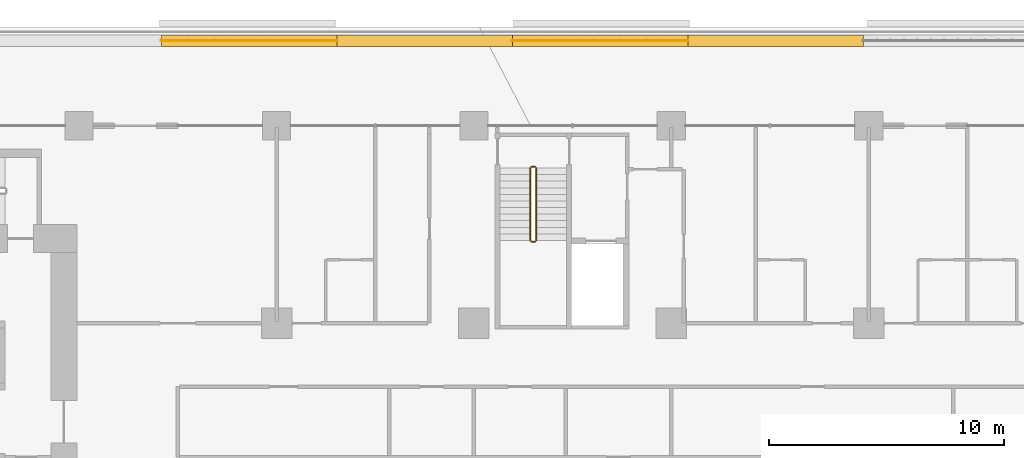
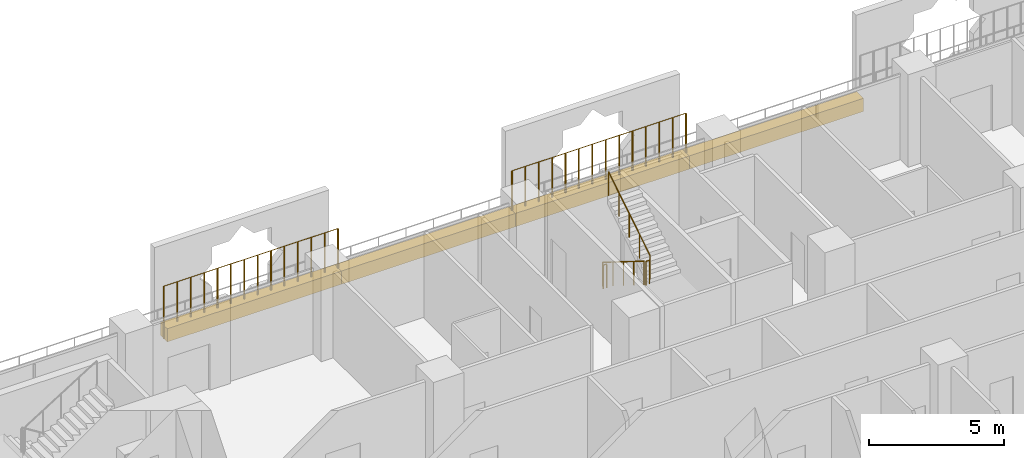
# One storey, part 27 of 28: 6 railings, 4 coverings.
"""IFC4 building model written with IfcOpenShell, lengths in metres."""

from ifc_helpers import new_model, si_unit, direction, frame, origin, origin_2d, place, context, subcontext, project, spatial, rectangle, circle, extrude, material, material_profile, profile_set, type_object, element, save


model = new_model("IFC4")

# Units and contexts
model_context = context("Model", 3, precision=1e-05, world=origin(), true_north=direction((0.0, 1.0)))
body_context = subcontext(model_context, "Body", "Model", "MODEL_VIEW")
ifc_project = project(units=[si_unit("LENGTHUNIT", "METRE"), si_unit("AREAUNIT", "SQUARE_METRE"), si_unit("VOLUMEUNIT", "CUBIC_METRE"), si_unit("PLANEANGLEUNIT", "RADIAN"), si_unit("MASSUNIT", "GRAM", prefix="KILO")], contexts=[model_context])

# Site, building, storey
site_placement = place(None, origin())
site = spatial("IfcSite", under=ifc_project, at=site_placement, CompositionType="ELEMENT")
building_placement = place(site_placement, origin())
building = spatial("IfcBuilding", under=site, at=building_placement, Name="Kawkab Arch Medical Tower", CompositionType="ELEMENT")
storey_placement = place(building_placement, frame((0.0, 0.0, 68.60009765625)))
storey = spatial("IfcBuildingStorey", under=building, at=storey_placement, Name="L15", CompositionType="ELEMENT", Elevation=68.60009765625)

# Coverings
ifc_material_1 = material(Name="Planting soil in a precast trough", Category="concrete")
ifc_material_profile = material_profile(ifc_material_1, rectangle(XDim=0.5, YDim=0.60009765625, at=origin_2d()), Name="Trough 500x600")
ifc_profile_set = profile_set([ifc_material_profile], Name="Planting soil in a precast trough")
covering_type = type_object("IfcCoveringType", Name="Planter trough 500 x 600", PredefinedType="USERDEFINED", material=ifc_profile_set)
for number, where, z_axis, x_axis, name in (
    (1, (28.695068359375, 3.6201171875, 0.2998046875), (1.0, 0.0, 0.0), (0.0, 1.0, 0.0), "Planter L15.LOG-01-01.23"),
    (2, (36.1650390625, 3.6201171875, 0.2998046875), (1.0, 0.0, 0.0), (0.0, 1.0, 0.0), "Planter L15.LOG-01-01.24"),
    (3, (43.635009765625, 3.6201171875, 0.2998046875), (1.0, 0.0, 0.0), (0.0, 1.0, 0.0), "Planter L15.LOG-01-01.25"),
):
    element("IfcCovering", number, at=place(storey_placement, frame(where, z_axis=z_axis, x_axis=x_axis)), inside=storey, type_object=covering_type, Name=name, ObjectType="PLANTER", PredefinedType="USERDEFINED", context=body_context, shape_type="SweptSolid", body=[
        extrude(rectangle(XDim=0.5, YDim=0.60009765625, at=origin_2d()), origin(), (0.0, 0.0, 1.0), 7.469970703125),
    ])
covering_placement = place(storey_placement, frame((51.10498046875, 3.6201171875, 0.2998046875), z_axis=(1.0, 0.0, 0.0), x_axis=(0.0, 1.0, 0.0)))
element("IfcCovering", 4, at=covering_placement, inside=storey, type_object=covering_type, Name="Planter L15.LOG-01-01.26", ObjectType="PLANTER", PredefinedType="USERDEFINED", context=body_context, shape_type="SweptSolid", body=[
    extrude(rectangle(XDim=0.5, YDim=0.60009765625, at=origin_2d()), origin(), (0.0, 0.0, 1.0), 7.470947265625),
])

# Railings
ifc_material_2 = material(Name="Bronze anodised aluminium trellis for climbing plants", Category="aluminium")
railing_type_1 = type_object("IfcRailingType", Name="Planting trellis 2400", PredefinedType="USERDEFINED", material=ifc_material_2)
railing_1_placement = place(storey_placement, frame((28.695068359375, 3.6201171875, 0.0)))
element("IfcRailing", 5, at=railing_1_placement, inside=storey, type_object=railing_type_1, Name="Planting trellis L15.LOG-01-01.23", ObjectType="TRELLIS", PredefinedType="USERDEFINED", context=body_context, shape_type="SweptSolid", body=[
    extrude(circle(Radius=0.01513671875, at=origin_2d()), frame((0.0, 0.0, 2.384765625), z_axis=(1.0, 0.0, 0.0), x_axis=(0.0, 1.0, 0.0)), (0.0, 0.0, 1.0), 7.469970703125),
    extrude(circle(Radius=0.030029296875, at=origin_2d()), origin(), (0.0, 0.0, 1.0), 2.369873046875),
    extrude(circle(Radius=0.030029296875, at=origin_2d()), frame((0.57470703125, 0.0, 0.0)), (0.0, 0.0, 1.0), 2.369873046875),
    extrude(circle(Radius=0.030029296875, at=origin_2d()), frame((1.149169921875, 0.0, 0.0)), (0.0, 0.0, 1.0), 2.369873046875),
    extrude(circle(Radius=0.030029296875, at=origin_2d()), frame((1.723876953125, 0.0, 0.0)), (0.0, 0.0, 1.0), 2.369873046875),
    extrude(circle(Radius=0.030029296875, at=origin_2d()), frame((2.29833984375, 0.0, 0.0)), (0.0, 0.0, 1.0), 2.369873046875),
    extrude(circle(Radius=0.030029296875, at=origin_2d()), frame((2.873046875, 0.0, 0.0)), (0.0, 0.0, 1.0), 2.369873046875),
    extrude(circle(Radius=0.030029296875, at=origin_2d()), frame((3.44775390625, 0.0, 0.0)), (0.0, 0.0, 1.0), 2.369873046875),
    extrude(circle(Radius=0.030029296875, at=origin_2d()), frame((4.022216796875, 0.0, 0.0)), (0.0, 0.0, 1.0), 2.369873046875),
    extrude(circle(Radius=0.030029296875, at=origin_2d()), frame((4.596923828125, 0.0, 0.0)), (0.0, 0.0, 1.0), 2.369873046875),
    extrude(circle(Radius=0.030029296875, at=origin_2d()), frame((5.171630859375, 0.0, 0.0)), (0.0, 0.0, 1.0), 2.369873046875),
    extrude(circle(Radius=0.030029296875, at=origin_2d()), frame((5.74609375, 0.0, 0.0)), (0.0, 0.0, 1.0), 2.369873046875),
    extrude(circle(Radius=0.030029296875, at=origin_2d()), frame((6.32080078125, 0.0, 0.0)), (0.0, 0.0, 1.0), 2.369873046875),
    extrude(circle(Radius=0.030029296875, at=origin_2d()), frame((6.895263671875, 0.0, 0.0)), (0.0, 0.0, 1.0), 2.369873046875),
    extrude(circle(Radius=0.030029296875, at=origin_2d()), frame((7.469970703125, 0.0, 0.0)), (0.0, 0.0, 1.0), 2.369873046875),
])
railing_2_placement = place(storey_placement, frame((43.635009765625, 3.6201171875, 0.0)))
element("IfcRailing", 6, at=railing_2_placement, inside=storey, type_object=railing_type_1, Name="Planting trellis L15.LOG-01-01.25", ObjectType="TRELLIS", PredefinedType="USERDEFINED", context=body_context, shape_type="SweptSolid", body=[
    extrude(circle(Radius=0.01513671875, at=origin_2d()), frame((0.0, 0.0, 2.384765625), z_axis=(1.0, 0.0, 0.0), x_axis=(0.0, 1.0, 0.0)), (0.0, 0.0, 1.0), 7.469970703125),
    extrude(circle(Radius=0.030029296875, at=origin_2d()), origin(), (0.0, 0.0, 1.0), 2.369873046875),
    extrude(circle(Radius=0.030029296875, at=origin_2d()), frame((0.57470703125, 0.0, 0.0)), (0.0, 0.0, 1.0), 2.369873046875),
    extrude(circle(Radius=0.030029296875, at=origin_2d()), frame((1.149169921875, 0.0, 0.0)), (0.0, 0.0, 1.0), 2.369873046875),
    extrude(circle(Radius=0.030029296875, at=origin_2d()), frame((1.723876953125, 0.0, 0.0)), (0.0, 0.0, 1.0), 2.369873046875),
    extrude(circle(Radius=0.030029296875, at=origin_2d()), frame((2.29833984375, 0.0, 0.0)), (0.0, 0.0, 1.0), 2.369873046875),
    extrude(circle(Radius=0.030029296875, at=origin_2d()), frame((2.873046875, 0.0, 0.0)), (0.0, 0.0, 1.0), 2.369873046875),
    extrude(circle(Radius=0.030029296875, at=origin_2d()), frame((3.44775390625, 0.0, 0.0)), (0.0, 0.0, 1.0), 2.369873046875),
    extrude(circle(Radius=0.030029296875, at=origin_2d()), frame((4.022216796875, 0.0, 0.0)), (0.0, 0.0, 1.0), 2.369873046875),
    extrude(circle(Radius=0.030029296875, at=origin_2d()), frame((4.596923828125, 0.0, 0.0)), (0.0, 0.0, 1.0), 2.369873046875),
    extrude(circle(Radius=0.030029296875, at=origin_2d()), frame((5.171630859375, 0.0, 0.0)), (0.0, 0.0, 1.0), 2.369873046875),
    extrude(circle(Radius=0.030029296875, at=origin_2d()), frame((5.74609375, 0.0, 0.0)), (0.0, 0.0, 1.0), 2.369873046875),
    extrude(circle(Radius=0.030029296875, at=origin_2d()), frame((6.32080078125, 0.0, 0.0)), (0.0, 0.0, 1.0), 2.369873046875),
    extrude(circle(Radius=0.030029296875, at=origin_2d()), frame((6.895263671875, 0.0, 0.0)), (0.0, 0.0, 1.0), 2.369873046875),
    extrude(circle(Radius=0.030029296875, at=origin_2d()), frame((7.469970703125, 0.0, 0.0)), (0.0, 0.0, 1.0), 2.369873046875),
])
ifc_material_3 = material(Name="Stainless steel", Category="steel")
railing_type_2 = type_object("IfcRailingType", Name="Stair guard 1100", PredefinedType="GUARDRAIL", material=ifc_material_3)
railing_3_placement = place(storey_placement, frame((44.39990234375, -1.800048828125, 0.1748046875)))
element("IfcRailing", 7, at=railing_3_placement, inside=storey, type_object=railing_type_2, Name="L15 ST5 stair guard 1", PredefinedType="GUARDRAIL", context=body_context, shape_type="SweptSolid", body=[
    extrude(circle(Radius=0.02392578125, at=origin_2d()), frame((0.0, 0.0, 1.076171875), z_axis=(0.0, -0.847979421464, 0.530029150871), x_axis=(1.0, 0.0, 0.0)), (0.0, 0.0, 1.0), 3.632080078125),
    extrude(circle(Radius=0.02099609375, at=origin_2d()), origin(), (0.0, 0.0, 1.0), 1.052001953125),
    extrude(circle(Radius=0.02099609375, at=origin_2d()), frame((0.0, -0.77001953125, 0.481201171875)), (0.0, 0.0, 1.0), 1.052001953125),
    extrude(circle(Radius=0.02099609375, at=origin_2d()), frame((0.0, -1.5400390625, 0.96240234375)), (0.0, 0.0, 1.0), 1.052001953125),
    extrude(circle(Radius=0.02099609375, at=origin_2d()), frame((0.0, -2.309814453125, 1.44384765625)), (0.0, 0.0, 1.0), 1.052001953125),
    extrude(circle(Radius=0.02099609375, at=origin_2d()), frame((0.0, -3.079833984375, 1.925048828125)), (0.0, 0.0, 1.0), 1.052001953125),
])
railing_4_placement = place(storey_placement, frame((44.449951171875, -4.929931640625, 2.099853515625)))
element("IfcRailing", 8, at=railing_4_placement, inside=storey, type_object=railing_type_2, Name="L15 ST5 stair guard 2", PredefinedType="GUARDRAIL", context=body_context, shape_type="SweptSolid", body=[
    extrude(circle(Radius=0.02392578125, at=origin_2d()), frame((0.0, 0.0, 1.076171875), z_axis=(1.0, 0.0, 0.0), x_axis=(0.0, 1.0, 0.0)), (0.0, 0.0, 1.0), 0.150146484375),
    extrude(circle(Radius=0.02099609375, at=origin_2d()), origin(), (0.0, 0.0, 1.0), 1.052001953125),
    extrude(circle(Radius=0.02099609375, at=origin_2d()), frame((0.150146484375, 0.0, 0.0)), (0.0, 0.0, 1.0), 1.052001953125),
])
railing_5_placement = place(storey_placement, frame((44.64990234375, -4.8798828125, 2.27490234375)))
element("IfcRailing", 9, at=railing_5_placement, inside=storey, type_object=railing_type_2, Name="L15 ST5 stair guard 3", PredefinedType="GUARDRAIL", context=body_context, shape_type="SweptSolid", body=[
    extrude(circle(Radius=0.02392578125, at=origin_2d()), frame((0.0, 0.0, 1.076171875), z_axis=(0.0, 0.847979421464, 0.530029150871), x_axis=(-1.0, 0.0, 0.0)), (0.0, 0.0, 1.0), 3.632080078125),
    extrude(circle(Radius=0.02099609375, at=origin_2d()), origin(), (0.0, 0.0, 1.0), 1.052001953125),
    extrude(circle(Radius=0.02099609375, at=origin_2d()), frame((0.0, 0.77001953125, 0.481201171875)), (0.0, 0.0, 1.0), 1.052001953125),
    extrude(circle(Radius=0.02099609375, at=origin_2d()), frame((0.0, 1.5400390625, 0.96240234375)), (0.0, 0.0, 1.0), 1.052001953125),
    extrude(circle(Radius=0.02099609375, at=origin_2d()), frame((0.0, 2.309814453125, 1.44384765625)), (0.0, 0.0, 1.0), 1.052001953125),
    extrude(circle(Radius=0.02099609375, at=origin_2d()), frame((0.0, 3.079833984375, 1.925048828125)), (0.0, 0.0, 1.0), 1.052001953125),
])
railing_6_placement = place(storey_placement, frame((44.449951171875, -1.75, 0.0)))
element("IfcRailing", 10, at=railing_6_placement, inside=storey, type_object=railing_type_2, Name="L15 ST5 stair guard 4", PredefinedType="GUARDRAIL", context=body_context, shape_type="SweptSolid", body=[
    extrude(circle(Radius=0.02392578125, at=origin_2d()), frame((0.0, 0.0, 1.076171875), z_axis=(1.0, 0.0, 0.0), x_axis=(0.0, 1.0, 0.0)), (0.0, 0.0, 1.0), 0.150146484375),
    extrude(circle(Radius=0.02099609375, at=origin_2d()), origin(), (0.0, 0.0, 1.0), 1.052001953125),
    extrude(circle(Radius=0.02099609375, at=origin_2d()), frame((0.150146484375, 0.0, 0.0)), (0.0, 0.0, 1.0), 1.052001953125),
])

save(model, "model.ifc")
